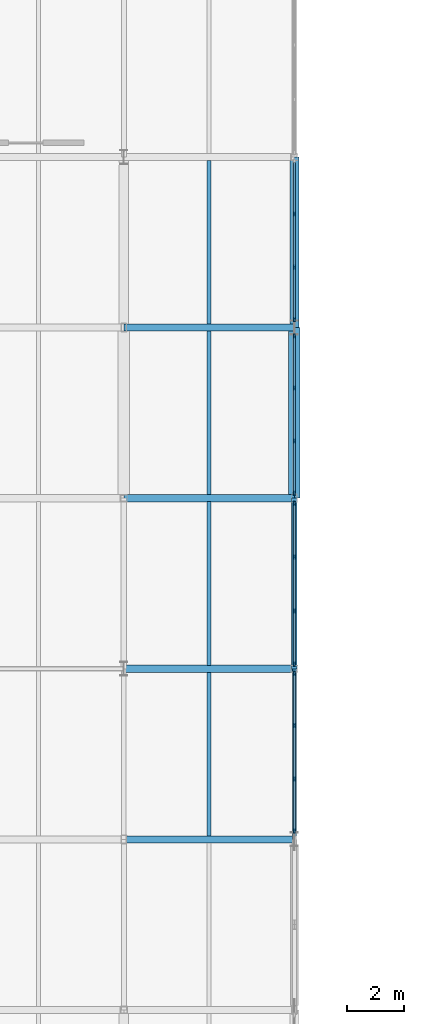
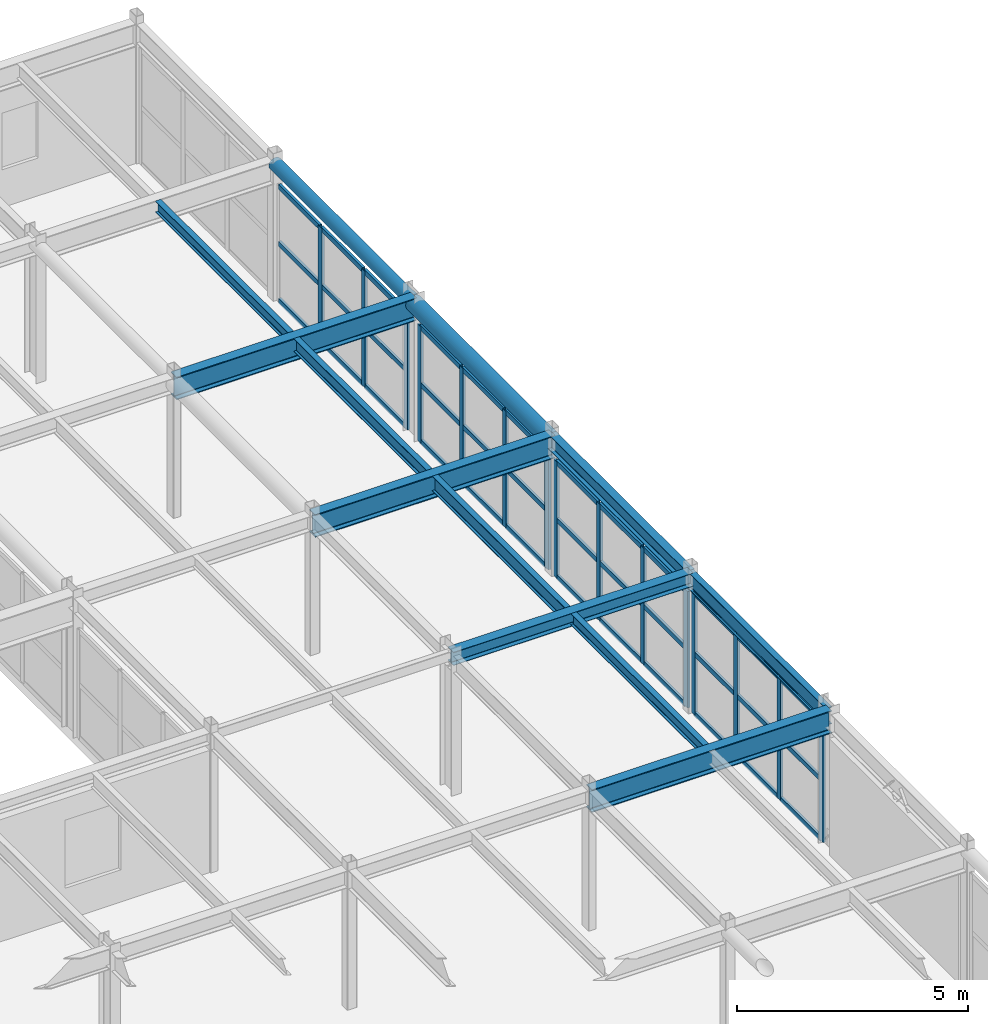
# One storey, part 14 of 63: 51 members, 12 beams, 4 elements without a shape of their own.
"""IFC4 building model written with IfcOpenShell, lengths in metres."""

from ifc_helpers import new_model, si_unit, direction, frame, origin, origin_2d, place, context, subcontext, project, spatial, rectangle, hollow_circle, i_section, extrude, material, material_profile, profile_set, type_object, element, aggregate, save


model = new_model("IFC4")

# Units and contexts
model_context = context("Model", 3, precision=1e-05, world=origin(), true_north=direction((0.0, 1.0)))
body_context = subcontext(model_context, "Body", "Model", "MODEL_VIEW")
ifc_project = project(units=[si_unit("LENGTHUNIT", "METRE"), si_unit("AREAUNIT", "SQUARE_METRE"), si_unit("VOLUMEUNIT", "CUBIC_METRE"), si_unit("PLANEANGLEUNIT", "RADIAN"), si_unit("MASSUNIT", "GRAM", prefix="KILO")], contexts=[model_context])

# Site, building, storey
site_placement = place(None, origin())
site = spatial("IfcSite", under=ifc_project, at=site_placement, CompositionType="ELEMENT")
building_placement = place(site_placement, origin())
building = spatial("IfcBuilding", under=site, at=building_placement, Name="Varnakota Square Police Headquarters", CompositionType="ELEMENT")
storey_placement = place(building_placement, frame((0.0, 0.0, 22.199951171875)))
storey = spatial("IfcBuildingStorey", under=building, at=storey_placement, Name="L05", CompositionType="ELEMENT", Elevation=22.199951171875)

# Beams
ifc_material_1 = material(Name="Steel IS 2062 Grade 350", Category="steel")
ifc_material_profile_1 = material_profile(ifc_material_1, hollow_circle(Radius=0.161865234375, WallThickness=0.0126953125, at=origin_2d()), Name="CHS 323.9x12.7")
ifc_profile_set_1 = profile_set([ifc_material_profile_1], Name="Steel IS 2062 Grade 350")
beam_type_1 = type_object("IfcBeamType", Name="BM-ARC-CHS324", PredefinedType="BEAM", material=ifc_profile_set_1)
beam_1_placement = place(storey_placement, frame((42.0, 51.0, 3.528076171875), z_axis=(0.0, 1.0, 0.0), x_axis=(-1.0, 0.0, 0.0)))
element("IfcBeam", 1, at=beam_1_placement, inside=storey, type_object=beam_type_1, Name="BMG-L05-3204", PredefinedType="BEAM", context=body_context, shape_type="SweptSolid", body=[
    extrude(hollow_circle(Radius=0.161865234375, WallThickness=0.0126953125, at=origin_2d()), origin(), (0.0, 0.0, 1.0), 6.0),
])
ifc_material_profile_2 = material_profile(ifc_material_1, hollow_circle(Radius=0.203125, WallThickness=0.01611328125, at=origin_2d()), Name="CHS 406.4x16.0")
ifc_profile_set_2 = profile_set([ifc_material_profile_2], Name="Steel IS 2062 Grade 350")
beam_type_2 = type_object("IfcBeamType", Name="BM-ARC-CHS406", PredefinedType="BEAM", material=ifc_profile_set_2)
beam_2_placement = place(storey_placement, frame((42.0, 45.0, 3.48681640625), z_axis=(0.0, 1.0, 0.0), x_axis=(-1.0, 0.0, 0.0)))
element("IfcBeam", 2, at=beam_2_placement, inside=storey, type_object=beam_type_2, Name="BMG-L05-3203", PredefinedType="BEAM", context=body_context, shape_type="SweptSolid", body=[
    extrude(hollow_circle(Radius=0.203125, WallThickness=0.01611328125, at=origin_2d()), origin(), (0.0, 0.0, 1.0), 6.0),
])
ifc_material_profile_3 = material_profile(ifc_material_1, i_section(OverallWidth=0.25, OverallDepth=0.35009765625, WebThickness=0.010009765625, FlangeThickness=0.01171875, FilletRadius=0.011962890625, at=origin_2d()), Name="ISHB 350")
ifc_profile_set_3 = profile_set([ifc_material_profile_3], Name="Steel IS 2062 Grade 350")
beam_type_3 = type_object("IfcBeamType", Name="BM-ISHB350", PredefinedType="BEAM", material=ifc_profile_set_3)
beam_3_placement = place(storey_placement, frame((36.0, 39.0, 3.51513671875), z_axis=(1.0, 0.0, 0.0), x_axis=(0.0, 1.0, 0.0)))
element("IfcBeam", 3, at=beam_3_placement, inside=storey, type_object=beam_type_3, Name="BMG-L05-3130", PredefinedType="BEAM", context=body_context, shape_type="SweptSolid", body=[
    extrude(i_section(OverallWidth=0.25, OverallDepth=0.35009765625, WebThickness=0.010009765625, FlangeThickness=0.01171875, FilletRadius=0.011962890625, at=origin_2d()), origin(), (0.0, 0.0, 1.0), 6.0),
])
ifc_material_profile_4 = material_profile(ifc_material_1, i_section(OverallWidth=0.139892578125, OverallDepth=0.300048828125, WebThickness=0.0078125, FlangeThickness=0.01318359375, FilletRadius=0.013916015625, at=origin_2d()), Name="ISMB 300")
ifc_profile_set_4 = profile_set([ifc_material_profile_4], Name="Steel IS 2062 Grade 350")
beam_type_4 = type_object("IfcBeamType", Name="BM-ISMB300", PredefinedType="JOIST", material=ifc_profile_set_4)
for number, where, z_axis, x_axis, name in (
    (4, (39.0, 33.123046875, 3.5400390625), (0.0, 1.0, 0.0), (-1.0, 0.0, 0.0), "BMG-L05-3274"),
    (5, (39.0, 51.123046875, 3.5400390625), (0.0, 1.0, 0.0), (-1.0, 0.0, 0.0), "BMG-L05-3277"),
):
    element("IfcBeam", number, at=place(storey_placement, frame(where, z_axis=z_axis, x_axis=x_axis)), inside=storey, type_object=beam_type_4, Name=name, PredefinedType="JOIST", context=body_context, shape_type="SweptSolid", body=[
        extrude(i_section(OverallWidth=0.139892578125, OverallDepth=0.300048828125, WebThickness=0.0078125, FlangeThickness=0.01318359375, FilletRadius=0.013916015625, at=origin_2d()), origin(), (0.0, 0.0, 1.0), 5.75390625),
    ])
ifc_material_profile_5 = material_profile(ifc_material_1, i_section(OverallWidth=0.139892578125, OverallDepth=0.35009765625, WebThickness=0.008056640625, FlangeThickness=0.01416015625, FilletRadius=0.013916015625, at=origin_2d()), Name="ISMB 350")
ifc_profile_set_5 = profile_set([ifc_material_profile_5], Name="Steel IS 2062 Grade 350")
beam_type_5 = type_object("IfcBeamType", Name="BM-ISMB350", PredefinedType="JOIST", material=ifc_profile_set_5)
beam_4_placement = place(storey_placement, frame((39.0, 45.123046875, 3.51513671875), z_axis=(0.0, 1.0, 0.0), x_axis=(-1.0, 0.0, 0.0)))
element("IfcBeam", 6, at=beam_4_placement, inside=storey, type_object=beam_type_5, Name="BMG-L05-3276", PredefinedType="JOIST", context=body_context, shape_type="SweptSolid", body=[
    extrude(i_section(OverallWidth=0.139892578125, OverallDepth=0.35009765625, WebThickness=0.008056640625, FlangeThickness=0.01416015625, FilletRadius=0.013916015625, at=origin_2d()), origin(), (0.0, 0.0, 1.0), 5.75390625),
])
ifc_material_profile_6 = material_profile(ifc_material_1, i_section(OverallWidth=0.139892578125, OverallDepth=0.39990234375, WebThickness=0.0087890625, FlangeThickness=0.01611328125, FilletRadius=0.013916015625, at=origin_2d()), Name="ISMB 400")
ifc_profile_set_6 = profile_set([ifc_material_profile_6], Name="Steel IS 2062 Grade 350")
beam_type_6 = type_object("IfcBeamType", Name="BM-ISMB400", PredefinedType="JOIST", material=ifc_profile_set_6)
beam_5_placement = place(storey_placement, frame((39.0, 39.123046875, 3.489990234375), z_axis=(0.0, 1.0, 0.0), x_axis=(-1.0, 0.0, 0.0)))
element("IfcBeam", 7, at=beam_5_placement, inside=storey, type_object=beam_type_6, Name="BMG-L05-3275", PredefinedType="JOIST", context=body_context, shape_type="SweptSolid", body=[
    extrude(i_section(OverallWidth=0.139892578125, OverallDepth=0.39990234375, WebThickness=0.0087890625, FlangeThickness=0.01611328125, FilletRadius=0.013916015625, at=origin_2d()), origin(), (0.0, 0.0, 1.0), 5.75390625),
])
ifc_material_profile_7 = material_profile(ifc_material_1, i_section(OverallWidth=0.14990234375, OverallDepth=0.449951171875, WebThickness=0.009521484375, FlangeThickness=0.017333984375, FilletRadius=0.014892578125, at=origin_2d()), Name="ISMB 450")
ifc_profile_set_7 = profile_set([ifc_material_profile_7], Name="Steel IS 2062 Grade 350")
beam_type_7 = type_object("IfcBeamType", Name="BM-ISMB450", PredefinedType="BEAM", material=ifc_profile_set_7)
beam_6_placement = place(storey_placement, frame((42.0, 33.0, 3.465087890625), z_axis=(0.0, 1.0, 0.0), x_axis=(-1.0, 0.0, 0.0)))
element("IfcBeam", 8, at=beam_6_placement, inside=storey, type_object=beam_type_7, Name="BMG-L05-3201", PredefinedType="BEAM", context=body_context, shape_type="SweptSolid", body=[
    extrude(i_section(OverallWidth=0.14990234375, OverallDepth=0.449951171875, WebThickness=0.009521484375, FlangeThickness=0.017333984375, FilletRadius=0.014892578125, at=origin_2d()), origin(), (0.0, 0.0, 1.0), 6.0),
])
ifc_material_profile_8 = material_profile(ifc_material_1, i_section(OverallWidth=0.199951171875, OverallDepth=0.39990234375, WebThickness=0.008544921875, FlangeThickness=0.012939453125, FilletRadius=0.012939453125, at=origin_2d()), Name="ISWB 400")
ifc_profile_set_8 = profile_set([ifc_material_profile_8], Name="Steel IS 2062 Grade 350")
beam_type_8 = type_object("IfcBeamType", Name="BM-ISWB400", PredefinedType="BEAM", material=ifc_profile_set_8)
beam_7_placement = place(storey_placement, frame((42.0, 39.0, 3.489990234375), z_axis=(0.0, 1.0, 0.0), x_axis=(-1.0, 0.0, 0.0)))
element("IfcBeam", 9, at=beam_7_placement, inside=storey, type_object=beam_type_8, Name="BMG-L05-3202", PredefinedType="BEAM", context=body_context, shape_type="SweptSolid", body=[
    extrude(i_section(OverallWidth=0.199951171875, OverallDepth=0.39990234375, WebThickness=0.008544921875, FlangeThickness=0.012939453125, FilletRadius=0.012939453125, at=origin_2d()), origin(), (0.0, 0.0, 1.0), 6.0),
])
ifc_material_profile_9 = material_profile(ifc_material_1, i_section(OverallWidth=0.25, OverallDepth=0.60009765625, WebThickness=0.01171875, FlangeThickness=0.023681640625, FilletRadius=0.01708984375, at=origin_2d()), Name="ISWB 600")
ifc_profile_set_9 = profile_set([ifc_material_profile_9], Name="Steel IS 2062 Grade 350")
beam_type_9 = type_object("IfcBeamType", Name="BM-ISWB600", PredefinedType="BEAM", material=ifc_profile_set_9)
for number, where, z_axis, x_axis, name in (
    (10, (36.0, 33.0, 3.39013671875), (1.0, 0.0, 0.0), (0.0, 1.0, 0.0), "BMG-L05-3121"),
    (11, (36.0, 45.0, 3.39013671875), (1.0, 0.0, 0.0), (0.0, 1.0, 0.0), "BMG-L05-3139"),
    (12, (36.0, 51.0, 3.39013671875), (1.0, 0.0, 0.0), (0.0, 1.0, 0.0), "BMG-L05-3147"),
):
    element("IfcBeam", number, at=place(storey_placement, frame(where, z_axis=z_axis, x_axis=x_axis)), inside=storey, type_object=beam_type_9, Name=name, PredefinedType="BEAM", context=body_context, shape_type="SweptSolid", body=[
        extrude(i_section(OverallWidth=0.25, OverallDepth=0.60009765625, WebThickness=0.01171875, FlangeThickness=0.023681640625, FilletRadius=0.01708984375, at=origin_2d()), origin(), (0.0, 0.0, 1.0), 6.0),
    ])

# Curtain wall, members
ifc_material_2 = material(Name="Anodised Aluminium Framing", Category="aluminium")
curtain_wall_type = type_object("IfcCurtainWallType", Name="CW-SYS-D", PredefinedType="NOTDEFINED", material=ifc_material_2)
curtain_wall_1_placement = place(storey_placement, origin())
curtain_wall_1 = element("IfcCurtainWall", 13, at=curtain_wall_1_placement, inside=storey, type_object=curtain_wall_type, Name="Unitised curtain wall CWG-L05-193", PredefinedType="NOTDEFINED")
ifc_material_3 = material(Name="Anodised Aluminium 6063-T6", Category="aluminium")
ifc_material_profile_10 = material_profile(ifc_material_3, rectangle(XDim=0.06494140625, YDim=0.159912109375, at=origin_2d()), Name="ALU MULLION 65x160")
ifc_profile_set_10 = profile_set([ifc_material_profile_10], Name="Anodised Aluminium 6063-T6")
member_type_1 = type_object("IfcMemberType", Name="CWM-150", PredefinedType="MULLION", material=ifc_profile_set_10)
member_1_placement = place(storey_placement, frame((42.0, 33.28759765625, 0.0), z_axis=(0.0, 0.0, 1.0), x_axis=(-1.0, 0.0, 0.0)))
member_1 = element("IfcMember", 14, at=member_1_placement, type_object=member_type_1, Name="CWG-L05-193 mullion 1", PredefinedType="MULLION", context=body_context, shape_type="SweptSolid", body=[
    extrude(rectangle(XDim=0.06494140625, YDim=0.159912109375, at=origin_2d()), origin(), (0.0, 0.0, 1.0), 3.22998046875),
])
member_2_placement = place(storey_placement, frame((42.0, 35.126708984375, 0.0), z_axis=(0.0, 0.0, 1.0), x_axis=(-1.0, 0.0, 0.0)))
member_2 = element("IfcMember", 15, at=member_2_placement, type_object=member_type_1, Name="CWG-L05-193 mullion 2", PredefinedType="MULLION", context=body_context, shape_type="SweptSolid", body=[
    extrude(rectangle(XDim=0.06494140625, YDim=0.159912109375, at=origin_2d()), origin(), (0.0, 0.0, 1.0), 3.22998046875),
])
member_3_placement = place(storey_placement, frame((42.0, 36.998291015625, 0.0), z_axis=(0.0, 0.0, 1.0), x_axis=(-1.0, 0.0, 0.0)))
member_3 = element("IfcMember", 16, at=member_3_placement, type_object=member_type_1, Name="CWG-L05-193 mullion 3", PredefinedType="MULLION", context=body_context, shape_type="SweptSolid", body=[
    extrude(rectangle(XDim=0.06494140625, YDim=0.159912109375, at=origin_2d()), origin(), (0.0, 0.0, 1.0), 3.22998046875),
])
member_4_placement = place(storey_placement, frame((42.0, 38.83740234375, 0.0), z_axis=(0.0, 0.0, 1.0), x_axis=(-1.0, 0.0, 0.0)))
member_4 = element("IfcMember", 17, at=member_4_placement, type_object=member_type_1, Name="CWG-L05-193 mullion 4", PredefinedType="MULLION", context=body_context, shape_type="SweptSolid", body=[
    extrude(rectangle(XDim=0.06494140625, YDim=0.159912109375, at=origin_2d()), origin(), (0.0, 0.0, 1.0), 3.22998046875),
])

curtain_wall_2_placement = place(storey_placement, origin())
curtain_wall_2 = element("IfcCurtainWall", 18, at=curtain_wall_2_placement, inside=storey, type_object=curtain_wall_type, Name="Unitised curtain wall CWG-L05-194", PredefinedType="NOTDEFINED")
member_5_placement = place(storey_placement, frame((42.0, 39.16259765625, 0.0), z_axis=(0.0, 0.0, 1.0), x_axis=(-1.0, 0.0, 0.0)))
member_5 = element("IfcMember", 19, at=member_5_placement, type_object=member_type_1, Name="CWG-L05-194 mullion 1", PredefinedType="MULLION", context=body_context, shape_type="SweptSolid", body=[
    extrude(rectangle(XDim=0.06494140625, YDim=0.159912109375, at=origin_2d()), origin(), (0.0, 0.0, 1.0), 3.080078125),
])
member_6_placement = place(storey_placement, frame((42.0, 41.034912109375, 0.0), z_axis=(0.0, 0.0, 1.0), x_axis=(-1.0, 0.0, 0.0)))
member_6 = element("IfcMember", 20, at=member_6_placement, type_object=member_type_1, Name="CWG-L05-194 mullion 2", PredefinedType="MULLION", context=body_context, shape_type="SweptSolid", body=[
    extrude(rectangle(XDim=0.06494140625, YDim=0.159912109375, at=origin_2d()), origin(), (0.0, 0.0, 1.0), 3.080078125),
])
member_7_placement = place(storey_placement, frame((42.0, 42.93994140625, 0.0), z_axis=(0.0, 0.0, 1.0), x_axis=(-1.0, 0.0, 0.0)))
member_7 = element("IfcMember", 21, at=member_7_placement, type_object=member_type_1, Name="CWG-L05-194 mullion 3", PredefinedType="MULLION", context=body_context, shape_type="SweptSolid", body=[
    extrude(rectangle(XDim=0.06494140625, YDim=0.159912109375, at=origin_2d()), origin(), (0.0, 0.0, 1.0), 3.080078125),
])
member_8_placement = place(storey_placement, frame((42.0, 44.8125, 0.0), z_axis=(0.0, 0.0, 1.0), x_axis=(-1.0, 0.0, 0.0)))
member_8 = element("IfcMember", 22, at=member_8_placement, type_object=member_type_1, Name="CWG-L05-194 mullion 4", PredefinedType="MULLION", context=body_context, shape_type="SweptSolid", body=[
    extrude(rectangle(XDim=0.06494140625, YDim=0.159912109375, at=origin_2d()), origin(), (0.0, 0.0, 1.0), 3.080078125),
])

curtain_wall_3_placement = place(storey_placement, origin())
curtain_wall_3 = element("IfcCurtainWall", 23, at=curtain_wall_3_placement, inside=storey, type_object=curtain_wall_type, Name="Unitised curtain wall CWG-L05-195", PredefinedType="NOTDEFINED")
member_9_placement = place(storey_placement, frame((42.0, 45.1875, 0.0), z_axis=(0.0, 0.0, 1.0), x_axis=(-1.0, 0.0, 0.0)))
member_9 = element("IfcMember", 24, at=member_9_placement, type_object=member_type_1, Name="CWG-L05-195 mullion 1", PredefinedType="MULLION", context=body_context, shape_type="SweptSolid", body=[
    extrude(rectangle(XDim=0.06494140625, YDim=0.159912109375, at=origin_2d()), origin(), (0.0, 0.0, 1.0), 3.080078125),
])
member_10_placement = place(storey_placement, frame((42.0, 47.018310546875, 0.0), z_axis=(0.0, 0.0, 1.0), x_axis=(-1.0, 0.0, 0.0)))
member_10 = element("IfcMember", 25, at=member_10_placement, type_object=member_type_1, Name="CWG-L05-195 mullion 2", PredefinedType="MULLION", context=body_context, shape_type="SweptSolid", body=[
    extrude(rectangle(XDim=0.06494140625, YDim=0.159912109375, at=origin_2d()), origin(), (0.0, 0.0, 1.0), 3.080078125),
])
member_11_placement = place(storey_placement, frame((42.0, 48.881591796875, 0.0), z_axis=(0.0, 0.0, 1.0), x_axis=(-1.0, 0.0, 0.0)))
member_11 = element("IfcMember", 26, at=member_11_placement, type_object=member_type_1, Name="CWG-L05-195 mullion 3", PredefinedType="MULLION", context=body_context, shape_type="SweptSolid", body=[
    extrude(rectangle(XDim=0.06494140625, YDim=0.159912109375, at=origin_2d()), origin(), (0.0, 0.0, 1.0), 3.080078125),
])
member_12_placement = place(storey_placement, frame((42.0, 50.71240234375, 0.0), z_axis=(0.0, 0.0, 1.0), x_axis=(-1.0, 0.0, 0.0)))
member_12 = element("IfcMember", 27, at=member_12_placement, type_object=member_type_1, Name="CWG-L05-195 mullion 4", PredefinedType="MULLION", context=body_context, shape_type="SweptSolid", body=[
    extrude(rectangle(XDim=0.06494140625, YDim=0.159912109375, at=origin_2d()), origin(), (0.0, 0.0, 1.0), 3.080078125),
])

curtain_wall_4_placement = place(storey_placement, origin())
curtain_wall_4 = element("IfcCurtainWall", 28, at=curtain_wall_4_placement, inside=storey, type_object=curtain_wall_type, Name="Unitised curtain wall CWG-L05-196", PredefinedType="NOTDEFINED")
member_13_placement = place(storey_placement, frame((42.0, 51.28759765625, 0.0), z_axis=(0.0, 0.0, 1.0), x_axis=(-1.0, 0.0, 0.0)))
member_13 = element("IfcMember", 29, at=member_13_placement, type_object=member_type_1, Name="CWG-L05-196 mullion 1", PredefinedType="MULLION", context=body_context, shape_type="SweptSolid", body=[
    extrude(rectangle(XDim=0.06494140625, YDim=0.159912109375, at=origin_2d()), origin(), (0.0, 0.0, 1.0), 3.080078125),
])
member_14_placement = place(storey_placement, frame((42.0, 53.126708984375, 0.0), z_axis=(0.0, 0.0, 1.0), x_axis=(-1.0, 0.0, 0.0)))
member_14 = element("IfcMember", 30, at=member_14_placement, type_object=member_type_1, Name="CWG-L05-196 mullion 2", PredefinedType="MULLION", context=body_context, shape_type="SweptSolid", body=[
    extrude(rectangle(XDim=0.06494140625, YDim=0.159912109375, at=origin_2d()), origin(), (0.0, 0.0, 1.0), 3.080078125),
])
member_15_placement = place(storey_placement, frame((42.0, 54.998291015625, 0.0), z_axis=(0.0, 0.0, 1.0), x_axis=(-1.0, 0.0, 0.0)))
member_15 = element("IfcMember", 31, at=member_15_placement, type_object=member_type_1, Name="CWG-L05-196 mullion 3", PredefinedType="MULLION", context=body_context, shape_type="SweptSolid", body=[
    extrude(rectangle(XDim=0.06494140625, YDim=0.159912109375, at=origin_2d()), origin(), (0.0, 0.0, 1.0), 3.080078125),
])

# Member
ifc_material_profile_11 = material_profile(ifc_material_3, rectangle(XDim=0.06494140625, YDim=0.1298828125, at=origin_2d()), Name="ALU TRANSOM 65x130")
ifc_profile_set_11 = profile_set([ifc_material_profile_11], Name="Anodised Aluminium 6063-T6")
member_type_2 = type_object("IfcMemberType", Name="CWT-120", PredefinedType="USERDEFINED", material=ifc_profile_set_11)
member_16_placement = place(storey_placement, frame((42.0, 33.320068359375, 0.032470703125), z_axis=(0.0, 1.0, 0.0), x_axis=(-1.0, 0.0, 0.0)))
member_16 = element("IfcMember", 32, at=member_16_placement, type_object=member_type_2, Name="CWG-L05-193 transom 1.1", ObjectType="TRANSOM", PredefinedType="USERDEFINED", context=body_context, shape_type="SweptSolid", body=[
    extrude(rectangle(XDim=0.06494140625, YDim=0.1298828125, at=origin_2d()), origin(), (0.0, 0.0, 1.0), 1.774169921875),
])

member_17_placement = place(storey_placement, frame((42.0, 33.320068359375, 1.614990234375), z_axis=(0.0, 1.0, 0.0), x_axis=(-1.0, 0.0, 0.0)))
member_17 = element("IfcMember", 33, at=member_17_placement, type_object=member_type_2, Name="CWG-L05-193 transom 1.2", ObjectType="TRANSOM", PredefinedType="USERDEFINED", context=body_context, shape_type="SweptSolid", body=[
    extrude(rectangle(XDim=0.06494140625, YDim=0.1298828125, at=origin_2d()), origin(), (0.0, 0.0, 1.0), 1.774169921875),
])

member_18_placement = place(storey_placement, frame((42.0, 33.320068359375, 3.197509765625), z_axis=(0.0, 1.0, 0.0), x_axis=(-1.0, 0.0, 0.0)))
member_18 = element("IfcMember", 34, at=member_18_placement, type_object=member_type_2, Name="CWG-L05-193 transom 1.3", ObjectType="TRANSOM", PredefinedType="USERDEFINED", context=body_context, shape_type="SweptSolid", body=[
    extrude(rectangle(XDim=0.06494140625, YDim=0.1298828125, at=origin_2d()), origin(), (0.0, 0.0, 1.0), 1.774169921875),
])

member_19_placement = place(storey_placement, frame((42.0, 35.1591796875, 0.032470703125), z_axis=(0.0, 1.0, 0.0), x_axis=(-1.0, 0.0, 0.0)))
member_19 = element("IfcMember", 35, at=member_19_placement, type_object=member_type_2, Name="CWG-L05-193 transom 2.1", ObjectType="TRANSOM", PredefinedType="USERDEFINED", context=body_context, shape_type="SweptSolid", body=[
    extrude(rectangle(XDim=0.06494140625, YDim=0.1298828125, at=origin_2d()), origin(), (0.0, 0.0, 1.0), 1.806640625),
])

member_20_placement = place(storey_placement, frame((42.0, 35.1591796875, 1.614990234375), z_axis=(0.0, 1.0, 0.0), x_axis=(-1.0, 0.0, 0.0)))
member_20 = element("IfcMember", 36, at=member_20_placement, type_object=member_type_2, Name="CWG-L05-193 transom 2.2", ObjectType="TRANSOM", PredefinedType="USERDEFINED", context=body_context, shape_type="SweptSolid", body=[
    extrude(rectangle(XDim=0.06494140625, YDim=0.1298828125, at=origin_2d()), origin(), (0.0, 0.0, 1.0), 1.806640625),
])

member_21_placement = place(storey_placement, frame((42.0, 35.1591796875, 3.197509765625), z_axis=(0.0, 1.0, 0.0), x_axis=(-1.0, 0.0, 0.0)))
member_21 = element("IfcMember", 37, at=member_21_placement, type_object=member_type_2, Name="CWG-L05-193 transom 2.3", ObjectType="TRANSOM", PredefinedType="USERDEFINED", context=body_context, shape_type="SweptSolid", body=[
    extrude(rectangle(XDim=0.06494140625, YDim=0.1298828125, at=origin_2d()), origin(), (0.0, 0.0, 1.0), 1.806640625),
])

member_22_placement = place(storey_placement, frame((42.0, 37.03076171875, 0.032470703125), z_axis=(0.0, 1.0, 0.0), x_axis=(-1.0, 0.0, 0.0)))
member_22 = element("IfcMember", 38, at=member_22_placement, type_object=member_type_2, Name="CWG-L05-193 transom 3.1", ObjectType="TRANSOM", PredefinedType="USERDEFINED", context=body_context, shape_type="SweptSolid", body=[
    extrude(rectangle(XDim=0.06494140625, YDim=0.1298828125, at=origin_2d()), origin(), (0.0, 0.0, 1.0), 1.774169921875),
])

member_23_placement = place(storey_placement, frame((42.0, 37.03076171875, 1.614990234375), z_axis=(0.0, 1.0, 0.0), x_axis=(-1.0, 0.0, 0.0)))
member_23 = element("IfcMember", 39, at=member_23_placement, type_object=member_type_2, Name="CWG-L05-193 transom 3.2", ObjectType="TRANSOM", PredefinedType="USERDEFINED", context=body_context, shape_type="SweptSolid", body=[
    extrude(rectangle(XDim=0.06494140625, YDim=0.1298828125, at=origin_2d()), origin(), (0.0, 0.0, 1.0), 1.774169921875),
])

member_24_placement = place(storey_placement, frame((42.0, 37.03076171875, 3.197509765625), z_axis=(0.0, 1.0, 0.0), x_axis=(-1.0, 0.0, 0.0)))
member_24 = element("IfcMember", 40, at=member_24_placement, type_object=member_type_2, Name="CWG-L05-193 transom 3.3", ObjectType="TRANSOM", PredefinedType="USERDEFINED", context=body_context, shape_type="SweptSolid", body=[
    extrude(rectangle(XDim=0.06494140625, YDim=0.1298828125, at=origin_2d()), origin(), (0.0, 0.0, 1.0), 1.774169921875),
])

aggregate(curtain_wall_1, [member_1, member_2, member_3, member_4, member_16, member_17, member_18, member_19, member_20, member_21, member_22, member_23, member_24])

member_25_placement = place(storey_placement, frame((42.0, 39.195068359375, 0.032470703125), z_axis=(0.0, 1.0, 0.0), x_axis=(-1.0, 0.0, 0.0)))
member_25 = element("IfcMember", 41, at=member_25_placement, type_object=member_type_2, Name="CWG-L05-194 transom 1.1", ObjectType="TRANSOM", PredefinedType="USERDEFINED", context=body_context, shape_type="SweptSolid", body=[
    extrude(rectangle(XDim=0.06494140625, YDim=0.1298828125, at=origin_2d()), origin(), (0.0, 0.0, 1.0), 1.807373046875),
])

member_26_placement = place(storey_placement, frame((42.0, 39.195068359375, 1.5400390625), z_axis=(0.0, 1.0, 0.0), x_axis=(-1.0, 0.0, 0.0)))
member_26 = element("IfcMember", 42, at=member_26_placement, type_object=member_type_2, Name="CWG-L05-194 transom 1.2", ObjectType="TRANSOM", PredefinedType="USERDEFINED", context=body_context, shape_type="SweptSolid", body=[
    extrude(rectangle(XDim=0.06494140625, YDim=0.1298828125, at=origin_2d()), origin(), (0.0, 0.0, 1.0), 1.807373046875),
])

member_27_placement = place(storey_placement, frame((42.0, 39.195068359375, 3.047607421875), z_axis=(0.0, 1.0, 0.0), x_axis=(-1.0, 0.0, 0.0)))
member_27 = element("IfcMember", 43, at=member_27_placement, type_object=member_type_2, Name="CWG-L05-194 transom 1.3", ObjectType="TRANSOM", PredefinedType="USERDEFINED", context=body_context, shape_type="SweptSolid", body=[
    extrude(rectangle(XDim=0.06494140625, YDim=0.1298828125, at=origin_2d()), origin(), (0.0, 0.0, 1.0), 1.807373046875),
])

member_28_placement = place(storey_placement, frame((42.0, 41.0673828125, 0.032470703125), z_axis=(0.0, 1.0, 0.0), x_axis=(-1.0, 0.0, 0.0)))
member_28 = element("IfcMember", 44, at=member_28_placement, type_object=member_type_2, Name="CWG-L05-194 transom 2.1", ObjectType="TRANSOM", PredefinedType="USERDEFINED", context=body_context, shape_type="SweptSolid", body=[
    extrude(rectangle(XDim=0.06494140625, YDim=0.1298828125, at=origin_2d()), origin(), (0.0, 0.0, 1.0), 1.840087890625),
])

member_29_placement = place(storey_placement, frame((42.0, 41.0673828125, 1.5400390625), z_axis=(0.0, 1.0, 0.0), x_axis=(-1.0, 0.0, 0.0)))
member_29 = element("IfcMember", 45, at=member_29_placement, type_object=member_type_2, Name="CWG-L05-194 transom 2.2", ObjectType="TRANSOM", PredefinedType="USERDEFINED", context=body_context, shape_type="SweptSolid", body=[
    extrude(rectangle(XDim=0.06494140625, YDim=0.1298828125, at=origin_2d()), origin(), (0.0, 0.0, 1.0), 1.840087890625),
])

member_30_placement = place(storey_placement, frame((42.0, 41.0673828125, 3.047607421875), z_axis=(0.0, 1.0, 0.0), x_axis=(-1.0, 0.0, 0.0)))
member_30 = element("IfcMember", 46, at=member_30_placement, type_object=member_type_2, Name="CWG-L05-194 transom 2.3", ObjectType="TRANSOM", PredefinedType="USERDEFINED", context=body_context, shape_type="SweptSolid", body=[
    extrude(rectangle(XDim=0.06494140625, YDim=0.1298828125, at=origin_2d()), origin(), (0.0, 0.0, 1.0), 1.840087890625),
])

member_31_placement = place(storey_placement, frame((42.0, 42.972412109375, 0.032470703125), z_axis=(0.0, 1.0, 0.0), x_axis=(-1.0, 0.0, 0.0)))
member_31 = element("IfcMember", 47, at=member_31_placement, type_object=member_type_2, Name="CWG-L05-194 transom 3.1", ObjectType="TRANSOM", PredefinedType="USERDEFINED", context=body_context, shape_type="SweptSolid", body=[
    extrude(rectangle(XDim=0.06494140625, YDim=0.1298828125, at=origin_2d()), origin(), (0.0, 0.0, 1.0), 1.8076171875),
])

member_32_placement = place(storey_placement, frame((42.0, 42.972412109375, 1.5400390625), z_axis=(0.0, 1.0, 0.0), x_axis=(-1.0, 0.0, 0.0)))
member_32 = element("IfcMember", 48, at=member_32_placement, type_object=member_type_2, Name="CWG-L05-194 transom 3.2", ObjectType="TRANSOM", PredefinedType="USERDEFINED", context=body_context, shape_type="SweptSolid", body=[
    extrude(rectangle(XDim=0.06494140625, YDim=0.1298828125, at=origin_2d()), origin(), (0.0, 0.0, 1.0), 1.8076171875),
])

member_33_placement = place(storey_placement, frame((42.0, 42.972412109375, 3.047607421875), z_axis=(0.0, 1.0, 0.0), x_axis=(-1.0, 0.0, 0.0)))
member_33 = element("IfcMember", 49, at=member_33_placement, type_object=member_type_2, Name="CWG-L05-194 transom 3.3", ObjectType="TRANSOM", PredefinedType="USERDEFINED", context=body_context, shape_type="SweptSolid", body=[
    extrude(rectangle(XDim=0.06494140625, YDim=0.1298828125, at=origin_2d()), origin(), (0.0, 0.0, 1.0), 1.8076171875),
])

aggregate(curtain_wall_2, [member_5, member_6, member_7, member_8, member_25, member_26, member_27, member_28, member_29, member_30, member_31, member_32, member_33])

member_34_placement = place(storey_placement, frame((42.0, 45.219970703125, 0.032470703125), z_axis=(0.0, 1.0, 0.0), x_axis=(-1.0, 0.0, 0.0)))
member_34 = element("IfcMember", 50, at=member_34_placement, type_object=member_type_2, Name="CWG-L05-195 transom 1.1", ObjectType="TRANSOM", PredefinedType="USERDEFINED", context=body_context, shape_type="SweptSolid", body=[
    extrude(rectangle(XDim=0.06494140625, YDim=0.1298828125, at=origin_2d()), origin(), (0.0, 0.0, 1.0), 1.765869140625),
])

member_35_placement = place(storey_placement, frame((42.0, 45.219970703125, 1.5400390625), z_axis=(0.0, 1.0, 0.0), x_axis=(-1.0, 0.0, 0.0)))
member_35 = element("IfcMember", 51, at=member_35_placement, type_object=member_type_2, Name="CWG-L05-195 transom 1.2", ObjectType="TRANSOM", PredefinedType="USERDEFINED", context=body_context, shape_type="SweptSolid", body=[
    extrude(rectangle(XDim=0.06494140625, YDim=0.1298828125, at=origin_2d()), origin(), (0.0, 0.0, 1.0), 1.765869140625),
])

member_36_placement = place(storey_placement, frame((42.0, 45.219970703125, 3.047607421875), z_axis=(0.0, 1.0, 0.0), x_axis=(-1.0, 0.0, 0.0)))
member_36 = element("IfcMember", 52, at=member_36_placement, type_object=member_type_2, Name="CWG-L05-195 transom 1.3", ObjectType="TRANSOM", PredefinedType="USERDEFINED", context=body_context, shape_type="SweptSolid", body=[
    extrude(rectangle(XDim=0.06494140625, YDim=0.1298828125, at=origin_2d()), origin(), (0.0, 0.0, 1.0), 1.765869140625),
])

member_37_placement = place(storey_placement, frame((42.0, 47.05078125, 0.032470703125), z_axis=(0.0, 1.0, 0.0), x_axis=(-1.0, 0.0, 0.0)))
member_37 = element("IfcMember", 53, at=member_37_placement, type_object=member_type_2, Name="CWG-L05-195 transom 2.1", ObjectType="TRANSOM", PredefinedType="USERDEFINED", context=body_context, shape_type="SweptSolid", body=[
    extrude(rectangle(XDim=0.06494140625, YDim=0.1298828125, at=origin_2d()), origin(), (0.0, 0.0, 1.0), 1.79833984375),
])

member_38_placement = place(storey_placement, frame((42.0, 47.05078125, 1.5400390625), z_axis=(0.0, 1.0, 0.0), x_axis=(-1.0, 0.0, 0.0)))
member_38 = element("IfcMember", 54, at=member_38_placement, type_object=member_type_2, Name="CWG-L05-195 transom 2.2", ObjectType="TRANSOM", PredefinedType="USERDEFINED", context=body_context, shape_type="SweptSolid", body=[
    extrude(rectangle(XDim=0.06494140625, YDim=0.1298828125, at=origin_2d()), origin(), (0.0, 0.0, 1.0), 1.79833984375),
])

member_39_placement = place(storey_placement, frame((42.0, 47.05078125, 3.047607421875), z_axis=(0.0, 1.0, 0.0), x_axis=(-1.0, 0.0, 0.0)))
member_39 = element("IfcMember", 55, at=member_39_placement, type_object=member_type_2, Name="CWG-L05-195 transom 2.3", ObjectType="TRANSOM", PredefinedType="USERDEFINED", context=body_context, shape_type="SweptSolid", body=[
    extrude(rectangle(XDim=0.06494140625, YDim=0.1298828125, at=origin_2d()), origin(), (0.0, 0.0, 1.0), 1.79833984375),
])

member_40_placement = place(storey_placement, frame((42.0, 48.9140625, 0.032470703125), z_axis=(0.0, 1.0, 0.0), x_axis=(-1.0, 0.0, 0.0)))
member_40 = element("IfcMember", 56, at=member_40_placement, type_object=member_type_2, Name="CWG-L05-195 transom 3.1", ObjectType="TRANSOM", PredefinedType="USERDEFINED", context=body_context, shape_type="SweptSolid", body=[
    extrude(rectangle(XDim=0.06494140625, YDim=0.1298828125, at=origin_2d()), origin(), (0.0, 0.0, 1.0), 1.765869140625),
])

member_41_placement = place(storey_placement, frame((42.0, 48.9140625, 1.5400390625), z_axis=(0.0, 1.0, 0.0), x_axis=(-1.0, 0.0, 0.0)))
member_41 = element("IfcMember", 57, at=member_41_placement, type_object=member_type_2, Name="CWG-L05-195 transom 3.2", ObjectType="TRANSOM", PredefinedType="USERDEFINED", context=body_context, shape_type="SweptSolid", body=[
    extrude(rectangle(XDim=0.06494140625, YDim=0.1298828125, at=origin_2d()), origin(), (0.0, 0.0, 1.0), 1.765869140625),
])

member_42_placement = place(storey_placement, frame((42.0, 48.9140625, 3.047607421875), z_axis=(0.0, 1.0, 0.0), x_axis=(-1.0, 0.0, 0.0)))
member_42 = element("IfcMember", 58, at=member_42_placement, type_object=member_type_2, Name="CWG-L05-195 transom 3.3", ObjectType="TRANSOM", PredefinedType="USERDEFINED", context=body_context, shape_type="SweptSolid", body=[
    extrude(rectangle(XDim=0.06494140625, YDim=0.1298828125, at=origin_2d()), origin(), (0.0, 0.0, 1.0), 1.765869140625),
])

aggregate(curtain_wall_3, [member_9, member_10, member_11, member_12, member_34, member_35, member_36, member_37, member_38, member_39, member_40, member_41, member_42])

member_43_placement = place(storey_placement, frame((42.0, 51.320068359375, 0.032470703125), z_axis=(0.0, 1.0, 0.0), x_axis=(-1.0, 0.0, 0.0)))
member_43 = element("IfcMember", 59, at=member_43_placement, type_object=member_type_2, Name="CWG-L05-196 transom 1.1", ObjectType="TRANSOM", PredefinedType="USERDEFINED", context=body_context, shape_type="SweptSolid", body=[
    extrude(rectangle(XDim=0.06494140625, YDim=0.1298828125, at=origin_2d()), origin(), (0.0, 0.0, 1.0), 1.774169921875),
])

member_44_placement = place(storey_placement, frame((42.0, 51.320068359375, 1.5400390625), z_axis=(0.0, 1.0, 0.0), x_axis=(-1.0, 0.0, 0.0)))
member_44 = element("IfcMember", 60, at=member_44_placement, type_object=member_type_2, Name="CWG-L05-196 transom 1.2", ObjectType="TRANSOM", PredefinedType="USERDEFINED", context=body_context, shape_type="SweptSolid", body=[
    extrude(rectangle(XDim=0.06494140625, YDim=0.1298828125, at=origin_2d()), origin(), (0.0, 0.0, 1.0), 1.774169921875),
])

member_45_placement = place(storey_placement, frame((42.0, 51.320068359375, 3.047607421875), z_axis=(0.0, 1.0, 0.0), x_axis=(-1.0, 0.0, 0.0)))
member_45 = element("IfcMember", 61, at=member_45_placement, type_object=member_type_2, Name="CWG-L05-196 transom 1.3", ObjectType="TRANSOM", PredefinedType="USERDEFINED", context=body_context, shape_type="SweptSolid", body=[
    extrude(rectangle(XDim=0.06494140625, YDim=0.1298828125, at=origin_2d()), origin(), (0.0, 0.0, 1.0), 1.774169921875),
])

member_46_placement = place(storey_placement, frame((42.0, 53.1591796875, 0.032470703125), z_axis=(0.0, 1.0, 0.0), x_axis=(-1.0, 0.0, 0.0)))
member_46 = element("IfcMember", 62, at=member_46_placement, type_object=member_type_2, Name="CWG-L05-196 transom 2.1", ObjectType="TRANSOM", PredefinedType="USERDEFINED", context=body_context, shape_type="SweptSolid", body=[
    extrude(rectangle(XDim=0.06494140625, YDim=0.1298828125, at=origin_2d()), origin(), (0.0, 0.0, 1.0), 1.806640625),
])

member_47_placement = place(storey_placement, frame((42.0, 53.1591796875, 1.5400390625), z_axis=(0.0, 1.0, 0.0), x_axis=(-1.0, 0.0, 0.0)))
member_47 = element("IfcMember", 63, at=member_47_placement, type_object=member_type_2, Name="CWG-L05-196 transom 2.2", ObjectType="TRANSOM", PredefinedType="USERDEFINED", context=body_context, shape_type="SweptSolid", body=[
    extrude(rectangle(XDim=0.06494140625, YDim=0.1298828125, at=origin_2d()), origin(), (0.0, 0.0, 1.0), 1.806640625),
])

member_48_placement = place(storey_placement, frame((42.0, 53.1591796875, 3.047607421875), z_axis=(0.0, 1.0, 0.0), x_axis=(-1.0, 0.0, 0.0)))
member_48 = element("IfcMember", 64, at=member_48_placement, type_object=member_type_2, Name="CWG-L05-196 transom 2.3", ObjectType="TRANSOM", PredefinedType="USERDEFINED", context=body_context, shape_type="SweptSolid", body=[
    extrude(rectangle(XDim=0.06494140625, YDim=0.1298828125, at=origin_2d()), origin(), (0.0, 0.0, 1.0), 1.806640625),
])

member_49_placement = place(storey_placement, frame((42.0, 55.03076171875, 0.032470703125), z_axis=(0.0, 1.0, 0.0), x_axis=(-1.0, 0.0, 0.0)))
member_49 = element("IfcMember", 65, at=member_49_placement, type_object=member_type_2, Name="CWG-L05-196 transom 3.1", ObjectType="TRANSOM", PredefinedType="USERDEFINED", context=body_context, shape_type="SweptSolid", body=[
    extrude(rectangle(XDim=0.06494140625, YDim=0.1298828125, at=origin_2d()), origin(), (0.0, 0.0, 1.0), 1.774169921875),
])

member_50_placement = place(storey_placement, frame((42.0, 55.03076171875, 1.5400390625), z_axis=(0.0, 1.0, 0.0), x_axis=(-1.0, 0.0, 0.0)))
member_50 = element("IfcMember", 66, at=member_50_placement, type_object=member_type_2, Name="CWG-L05-196 transom 3.2", ObjectType="TRANSOM", PredefinedType="USERDEFINED", context=body_context, shape_type="SweptSolid", body=[
    extrude(rectangle(XDim=0.06494140625, YDim=0.1298828125, at=origin_2d()), origin(), (0.0, 0.0, 1.0), 1.774169921875),
])

member_51_placement = place(storey_placement, frame((42.0, 55.03076171875, 3.047607421875), z_axis=(0.0, 1.0, 0.0), x_axis=(-1.0, 0.0, 0.0)))
member_51 = element("IfcMember", 67, at=member_51_placement, type_object=member_type_2, Name="CWG-L05-196 transom 3.3", ObjectType="TRANSOM", PredefinedType="USERDEFINED", context=body_context, shape_type="SweptSolid", body=[
    extrude(rectangle(XDim=0.06494140625, YDim=0.1298828125, at=origin_2d()), origin(), (0.0, 0.0, 1.0), 1.774169921875),
])

aggregate(curtain_wall_4, [member_13, member_14, member_15, member_43, member_44, member_45, member_46, member_47, member_48, member_49, member_50, member_51])

save(model, "model.ifc")
